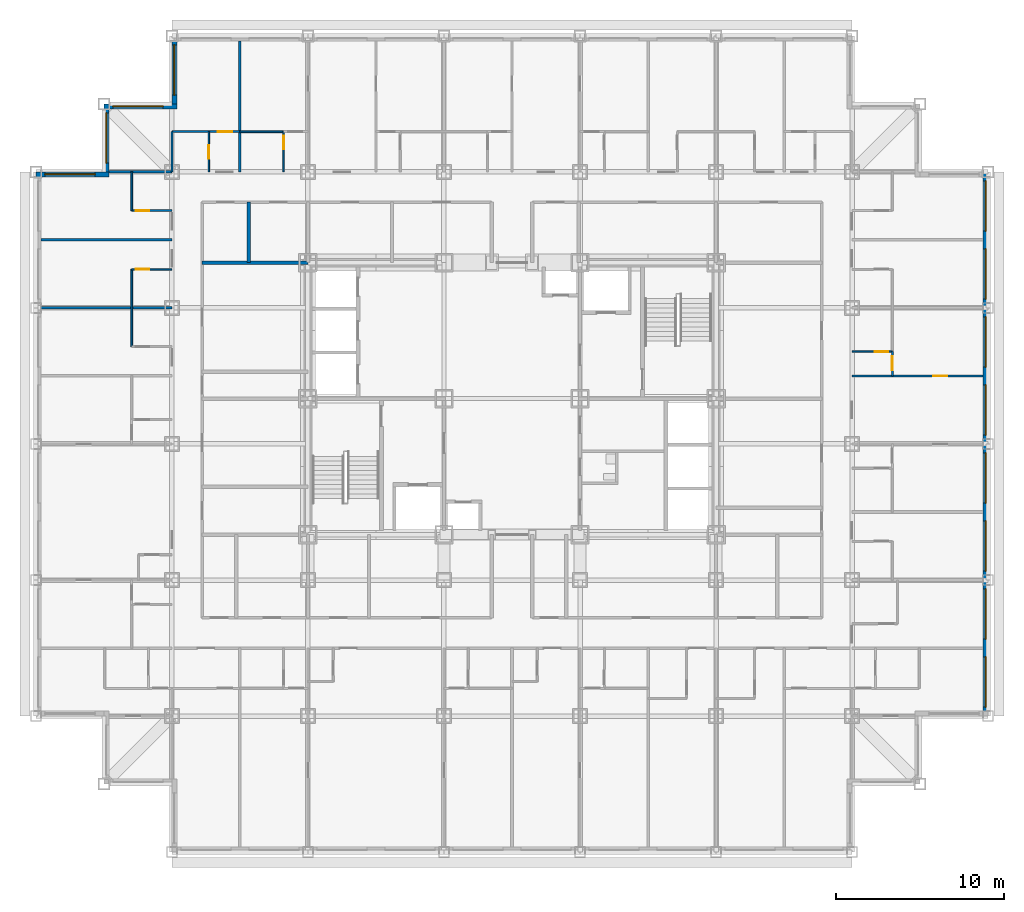
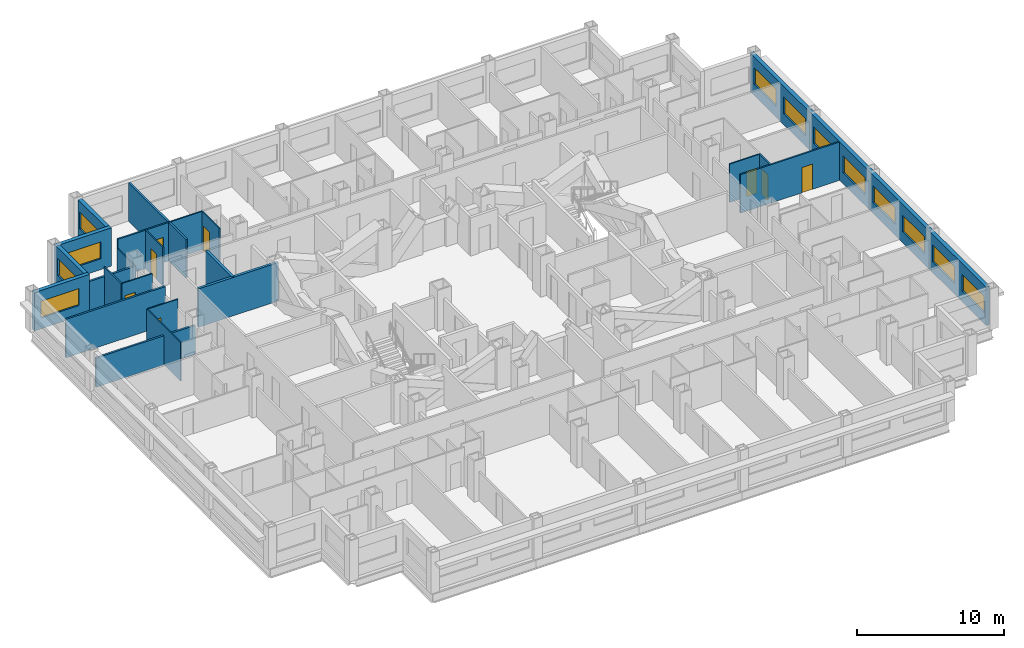
# One storey, part 9 of 14: 23 walls, 12 windows, 8 doors, 20 openings.
"""IFC4 building model written with IfcOpenShell, lengths in metres."""

from ifc_helpers import new_model, si_unit, direction, frame, frame_2d, origin, place, context, subcontext, project, spatial, rectangle, extrude, material, layer, layer_set, type_object, element, fill, save


model = new_model("IFC4")

# Units and contexts
model_context = context("Model", 3, precision=1e-05, world=origin(), true_north=direction((0.0, 1.0)))
body_context = subcontext(model_context, "Body", "Model", "MODEL_VIEW")
ifc_project = project(units=[si_unit("LENGTHUNIT", "METRE"), si_unit("AREAUNIT", "SQUARE_METRE"), si_unit("VOLUMEUNIT", "CUBIC_METRE"), si_unit("PLANEANGLEUNIT", "RADIAN"), si_unit("MASSUNIT", "GRAM", prefix="KILO")], contexts=[model_context])

# Site, building, storey
site_placement = place(None, origin())
site = spatial("IfcSite", under=ifc_project, at=site_placement, CompositionType="ELEMENT")
building_placement = place(site_placement, origin())
building = spatial("IfcBuilding", under=site, at=building_placement, Name="Kopane Lantern Tower", CompositionType="ELEMENT")
storey_placement = place(building_placement, frame((0.0, 0.0, 151.0)))
storey = spatial("IfcBuildingStorey", under=building, at=storey_placement, Name="L39", CompositionType="ELEMENT", Elevation=151.0)

# Wall, opening, door
ifc_material_1 = material(Name="Gypsum board on steel studs", Category="steel")
ifc_layer_1 = layer(ifc_material_1, 0.1201171875)
ifc_layer_set_1 = layer_set([ifc_layer_1], Name="APARTMENT INTERNAL WALL 120")
wall_type_1 = type_object("IfcWallType", Name="APARTMENT INTERNAL WALL 120", PredefinedType="PARTITIONING", material=ifc_layer_set_1)
wall_1_placement = place(storey_placement, frame((48.60009765625, 33.75, 0.0), z_axis=(0.0, 0.0, 1.0), x_axis=(1.0, 0.0, 0.0)))
wall_1 = element("IfcWall", 1, at=wall_1_placement, inside=storey, type_object=wall_type_1, Name="Apartment Internal Wall 120 L39", PredefinedType="PARTITIONING", context=body_context, shape_type="SweptSolid", body=[
    extrude(rectangle(XDim=7.7998046875, YDim=0.1201171875, at=frame_2d((3.89990234375, 0.0))), origin(), (0.0, 0.0, 1.0), 3.18994140625),
])
opening_1_placement = place(wall_1_placement, frame((4.824951171875, 0.0, 0.0)))
opening_1 = element("IfcOpeningElement", 2, at=opening_1_placement, cuts=wall_1, Name="Opening L39-071", PredefinedType="OPENING", context=body_context, shape_type="SweptSolid", body=[
    extrude(rectangle(XDim=0.85009765625, YDim=2.10009765625, at=frame_2d((0.425048828125, 1.050048828125))), frame((0.0, 0.070068359375, 0.0), z_axis=(0.0, -1.0, 0.0), x_axis=(1.0, 0.0, 0.0)), (0.0, 0.0, 1.0), 0.14013671875),
])
ifc_material_2 = material(Name="Timber door set", Category="wood")
door_type_1 = type_object("IfcDoorType", Name="DOOR D4 850x2100", OperationType="SINGLE_SWING_LEFT", PredefinedType="DOOR", material=ifc_material_2)
door_1_placement = place(opening_1_placement, origin())
door_1 = element("IfcDoor", 3, at=door_1_placement, inside=storey, type_object=door_type_1, Name="Door L39-071", OperationType="SINGLE_SWING_LEFT", OverallHeight=2.10009765625, OverallWidth=0.85009765625, PredefinedType="DOOR", context=body_context, shape_type="SweptSolid", body=[
    extrude(rectangle(XDim=0.85009765625, YDim=2.10009765625, at=frame_2d((0.425048828125, 1.050048828125))), frame((0.0, 0.02490234375, 0.0), z_axis=(0.0, -1.0, 0.0), x_axis=(1.0, 0.0, 0.0)), (0.0, 0.0, 1.0), 0.050048828125),
])
fill(opening_1, door_1)

wall_2_placement = place(storey_placement, frame((8.10009765625, 48.300048828125, 0.0), z_axis=(0.0, 0.0, 1.0), x_axis=(1.0, 0.0, 0.0)))
wall_2 = element("IfcWall", 4, at=wall_2_placement, inside=storey, type_object=wall_type_1, Name="Apartment Internal Wall 120 L39", PredefinedType="PARTITIONING", context=body_context, shape_type="SweptSolid", body=[
    extrude(rectangle(XDim=4.0498046875, YDim=0.1201171875, at=frame_2d((2.02490234375, 0.0))), origin(), (0.0, 0.0, 1.0), 3.18994140625),
])
opening_2_placement = place(wall_2_placement, frame((2.72509765625, 0.0, 0.0)))
opening_2 = element("IfcOpeningElement", 5, at=opening_2_placement, cuts=wall_2, Name="Opening L39-091", PredefinedType="OPENING", context=body_context, shape_type="SweptSolid", body=[
    extrude(rectangle(XDim=0.85009765625, YDim=2.10009765625, at=frame_2d((0.425048828125, 1.050048828125))), frame((0.0, 0.070068359375, 0.0), z_axis=(0.0, -1.0, 0.0), x_axis=(1.0, 0.0, 0.0)), (0.0, 0.0, 1.0), 0.14013671875),
])
door_2_placement = place(opening_2_placement, origin())
door_2 = element("IfcDoor", 6, at=door_2_placement, inside=storey, type_object=door_type_1, Name="Door L39-091", OperationType="SINGLE_SWING_LEFT", OverallHeight=2.10009765625, OverallWidth=0.85009765625, PredefinedType="DOOR", context=body_context, shape_type="SweptSolid", body=[
    extrude(rectangle(XDim=0.85009765625, YDim=2.10009765625, at=frame_2d((0.425048828125, 1.050048828125))), frame((0.0, 0.02490234375, 0.0), z_axis=(0.0, -1.0, 0.0), x_axis=(1.0, 0.0, 0.0)), (0.0, 0.0, 1.0), 0.050048828125),
])
fill(opening_2, door_2)

wall_3_placement = place(storey_placement, frame((51.0, 35.2099609375, 0.0), z_axis=(0.0, 0.0, 1.0), x_axis=(0.0, -1.0, 0.0)))
wall_3 = element("IfcWall", 7, at=wall_3_placement, inside=storey, type_object=wall_type_1, Name="Apartment Internal Wall 120 L39", PredefinedType="PARTITIONING", context=body_context, shape_type="SweptSolid", body=[
    extrude(rectangle(XDim=1.4599609375, YDim=0.1201171875, at=frame_2d((0.72998046875, 0.0))), origin(), (0.0, 0.0, 1.0), 3.18994140625),
])
opening_3_placement = place(wall_3_placement, frame((0.27490234375, 0.0, 0.0)))
opening_3 = element("IfcOpeningElement", 8, at=opening_3_placement, cuts=wall_3, Name="Opening L39-102", PredefinedType="OPENING", context=body_context, shape_type="SweptSolid", body=[
    extrude(rectangle(XDim=0.85009765625, YDim=2.10009765625, at=frame_2d((0.425048828125, 1.050048828125))), frame((0.0, 0.070068359375, 0.0), z_axis=(0.0, -1.0, 0.0), x_axis=(1.0, 0.0, 0.0)), (0.0, 0.0, 1.0), 0.14013671875),
])
door_3_placement = place(opening_3_placement, origin())
door_3 = element("IfcDoor", 9, at=door_3_placement, inside=storey, type_object=door_type_1, Name="Door L39-102", OperationType="SINGLE_SWING_RIGHT", OverallHeight=2.10009765625, OverallWidth=0.85009765625, PredefinedType="DOOR", context=body_context, shape_type="SweptSolid", body=[
    extrude(rectangle(XDim=0.85009765625, YDim=2.10009765625, at=frame_2d((0.425048828125, 1.050048828125))), frame((0.0, 0.02490234375, 0.0), z_axis=(0.0, -1.0, 0.0), x_axis=(1.0, 0.0, 0.0)), (0.0, 0.0, 1.0), 0.050048828125),
])
fill(opening_3, door_3)

# Wall
ifc_material_3 = material(Name="Moisture-resistant board on steel studs", Category="steel")
ifc_layer_2 = layer(ifc_material_3, 0.10009765625)
ifc_layer_set_2 = layer_set([ifc_layer_2], Name="BATHROOM WALL 100")
wall_type_2 = type_object("IfcWallType", Name="BATHROOM WALL 100", PredefinedType="PARTITIONING", material=ifc_layer_set_2)
wall_4_placement = place(storey_placement, frame((12.14990234375, 48.300048828125, 0.0), z_axis=(0.0, 0.0, 1.0), x_axis=(1.0, 0.0, 0.0)))
element("IfcWall", 10, at=wall_4_placement, inside=storey, type_object=wall_type_2, Name="Bathroom Wall 100 L39", PredefinedType="PARTITIONING", context=body_context, shape_type="SweptSolid", body=[
    extrude(rectangle(XDim=2.60009765625, YDim=0.10009765625, at=frame_2d((1.300048828125, 0.0))), origin(), (0.0, 0.0, 1.0), 3.18994140625),
])

# Wall, opening, door
wall_5_placement = place(storey_placement, frame((14.75, 45.89990234375, 0.0), z_axis=(0.0, 0.0, 1.0), x_axis=(0.0, 1.0, 0.0)))
wall_5 = element("IfcWall", 11, at=wall_5_placement, inside=storey, type_object=wall_type_2, Name="Bathroom Wall 100 L39", PredefinedType="PARTITIONING", context=body_context, shape_type="SweptSolid", body=[
    extrude(rectangle(XDim=2.400146484375, YDim=0.10009765625, at=frame_2d((1.2001953125, 0.0))), origin(), (0.0, 0.0, 1.0), 3.18994140625),
])
opening_4_placement = place(wall_5_placement, frame((1.35009765625, 0.0, 0.0)))
opening_4 = element("IfcOpeningElement", 12, at=opening_4_placement, cuts=wall_5, Name="Opening L39-038", PredefinedType="OPENING", context=body_context, shape_type="SweptSolid", body=[
    extrude(rectangle(XDim=0.800048828125, YDim=2.10009765625, at=frame_2d((0.39990234375, 1.050048828125))), frame((0.0, 0.06005859375, 0.0), z_axis=(0.0, -1.0, 0.0), x_axis=(1.0, 0.0, 0.0)), (0.0, 0.0, 1.0), 0.1201171875),
])
ifc_material_4 = material(Name="Timber door set", Category="wood")
door_type_2 = type_object("IfcDoorType", Name="DOOR D2 800x2100", OperationType="SINGLE_SWING_LEFT", PredefinedType="DOOR", material=ifc_material_4)
door_4_placement = place(opening_4_placement, origin())
door_4 = element("IfcDoor", 13, at=door_4_placement, inside=storey, type_object=door_type_2, Name="Door L39-038", OperationType="SINGLE_SWING_LEFT", OverallHeight=2.10009765625, OverallWidth=0.800048828125, PredefinedType="DOOR", context=body_context, shape_type="SweptSolid", body=[
    extrude(rectangle(XDim=0.800048828125, YDim=2.10009765625, at=frame_2d((0.39990234375, 1.050048828125))), frame((0.0, 0.02490234375, 0.0), z_axis=(0.0, -1.0, 0.0), x_axis=(1.0, 0.0, 0.0)), (0.0, 0.0, 1.0), 0.050048828125),
])
fill(opening_4, door_4)

# Wall
wall_6_placement = place(storey_placement, frame((5.699951171875, 35.5, 0.0), z_axis=(0.0, 0.0, 1.0), x_axis=(0.0, 1.0, 0.0)))
element("IfcWall", 14, at=wall_6_placement, inside=storey, type_object=wall_type_2, Name="Bathroom Wall 100 L39", PredefinedType="PARTITIONING", context=body_context, shape_type="SweptSolid", body=[
    extrude(rectangle(XDim=4.60009765625, YDim=0.10009765625, at=frame_2d((2.300048828125, 0.0))), origin(), (0.0, 0.0, 1.0), 3.18994140625),
])

# Wall, opening, door
wall_7_placement = place(storey_placement, frame((8.10009765625, 40.10009765625, 0.0), z_axis=(0.0, 0.0, 1.0), x_axis=(-1.0, 0.0, 0.0)))
wall_7 = element("IfcWall", 15, at=wall_7_placement, inside=storey, type_object=wall_type_2, Name="Bathroom Wall 100 L39", PredefinedType="PARTITIONING", context=body_context, shape_type="SweptSolid", body=[
    extrude(rectangle(XDim=2.400146484375, YDim=0.10009765625, at=frame_2d((1.2001953125, 0.0))), origin(), (0.0, 0.0, 1.0), 3.18994140625),
])
opening_5_placement = place(wall_7_placement, frame((1.35009765625, 0.0, 0.0)))
opening_5 = element("IfcOpeningElement", 16, at=opening_5_placement, cuts=wall_7, Name="Opening L39-059", PredefinedType="OPENING", context=body_context, shape_type="SweptSolid", body=[
    extrude(rectangle(XDim=0.800048828125, YDim=2.10009765625, at=frame_2d((0.39990234375, 1.050048828125))), frame((0.0, 0.06005859375, 0.0), z_axis=(0.0, -1.0, 0.0), x_axis=(1.0, 0.0, 0.0)), (0.0, 0.0, 1.0), 0.1201171875),
])
door_5_placement = place(opening_5_placement, origin())
door_5 = element("IfcDoor", 17, at=door_5_placement, inside=storey, type_object=door_type_2, Name="Door L39-059", OperationType="SINGLE_SWING_RIGHT", OverallHeight=2.10009765625, OverallWidth=0.800048828125, PredefinedType="DOOR", context=body_context, shape_type="SweptSolid", body=[
    extrude(rectangle(XDim=0.800048828125, YDim=2.10009765625, at=frame_2d((0.39990234375, 1.050048828125))), frame((0.0, 0.02490234375, 0.0), z_axis=(0.0, -1.0, 0.0), x_axis=(1.0, 0.0, 0.0)), (0.0, 0.0, 1.0), 0.050048828125),
])
fill(opening_5, door_5)

# Wall
wall_8_placement = place(storey_placement, frame((5.699951171875, 43.60009765625, 0.0), z_axis=(0.0, 0.0, 1.0), x_axis=(0.0, 1.0, 0.0)))
element("IfcWall", 18, at=wall_8_placement, inside=storey, type_object=wall_type_2, Name="Bathroom Wall 100 L39", PredefinedType="PARTITIONING", context=body_context, shape_type="SweptSolid", body=[
    extrude(rectangle(XDim=2.2998046875, YDim=0.10009765625, at=frame_2d((1.14990234375, 0.0))), origin(), (0.0, 0.0, 1.0), 3.18994140625),
])

# Wall, opening, door
wall_9_placement = place(storey_placement, frame((8.10009765625, 43.60009765625, 0.0), z_axis=(0.0, 0.0, 1.0), x_axis=(-1.0, 0.0, 0.0)))
wall_9 = element("IfcWall", 19, at=wall_9_placement, inside=storey, type_object=wall_type_2, Name="Bathroom Wall 100 L39", PredefinedType="PARTITIONING", context=body_context, shape_type="SweptSolid", body=[
    extrude(rectangle(XDim=2.400146484375, YDim=0.10009765625, at=frame_2d((1.2001953125, 0.0))), origin(), (0.0, 0.0, 1.0), 3.18994140625),
])
opening_6_placement = place(wall_9_placement, frame((1.35009765625, 0.0, 0.0)))
opening_6 = element("IfcOpeningElement", 20, at=opening_6_placement, cuts=wall_9, Name="Opening L39-061", PredefinedType="OPENING", context=body_context, shape_type="SweptSolid", body=[
    extrude(rectangle(XDim=0.800048828125, YDim=2.10009765625, at=frame_2d((0.39990234375, 1.050048828125))), frame((0.0, 0.06005859375, 0.0), z_axis=(0.0, -1.0, 0.0), x_axis=(1.0, 0.0, 0.0)), (0.0, 0.0, 1.0), 0.1201171875),
])
door_6_placement = place(opening_6_placement, origin())
door_6 = element("IfcDoor", 21, at=door_6_placement, inside=storey, type_object=door_type_2, Name="Door L39-061", OperationType="SINGLE_SWING_LEFT", OverallHeight=2.10009765625, OverallWidth=0.800048828125, PredefinedType="DOOR", context=body_context, shape_type="SweptSolid", body=[
    extrude(rectangle(XDim=0.800048828125, YDim=2.10009765625, at=frame_2d((0.39990234375, 1.050048828125))), frame((0.0, 0.02490234375, 0.0), z_axis=(0.0, -1.0, 0.0), x_axis=(1.0, 0.0, 0.0)), (0.0, 0.0, 1.0), 0.050048828125),
])
fill(opening_6, door_6)

wall_10_placement = place(storey_placement, frame((48.60009765625, 35.199951171875, 0.0), z_axis=(0.0, 0.0, 1.0), x_axis=(1.0, 0.0, 0.0)))
wall_10 = element("IfcWall", 22, at=wall_10_placement, inside=storey, type_object=wall_type_2, Name="Bathroom Wall 100 L39", PredefinedType="PARTITIONING", context=body_context, shape_type="SweptSolid", body=[
    extrude(rectangle(XDim=2.39990234375, YDim=0.10009765625, at=frame_2d((1.199951171875, 0.0))), origin(), (0.0, 0.0, 1.0), 3.18994140625),
])
opening_7_placement = place(wall_10_placement, frame((1.35009765625, 0.0, 0.0)))
opening_7 = element("IfcOpeningElement", 23, at=opening_7_placement, cuts=wall_10, Name="Opening L39-070", PredefinedType="OPENING", context=body_context, shape_type="SweptSolid", body=[
    extrude(rectangle(XDim=0.800048828125, YDim=2.10009765625, at=frame_2d((0.39990234375, 1.050048828125))), frame((0.0, 0.06005859375, 0.0), z_axis=(0.0, -1.0, 0.0), x_axis=(1.0, 0.0, 0.0)), (0.0, 0.0, 1.0), 0.1201171875),
])
door_7_placement = place(opening_7_placement, origin())
door_7 = element("IfcDoor", 24, at=door_7_placement, inside=storey, type_object=door_type_2, Name="Door L39-070", OperationType="SINGLE_SWING_LEFT", OverallHeight=2.10009765625, OverallWidth=0.800048828125, PredefinedType="DOOR", context=body_context, shape_type="SweptSolid", body=[
    extrude(rectangle(XDim=0.800048828125, YDim=2.10009765625, at=frame_2d((0.39990234375, 1.050048828125))), frame((0.0, 0.02490234375, 0.0), z_axis=(0.0, -1.0, 0.0), x_axis=(1.0, 0.0, 0.0)), (0.0, 0.0, 1.0), 0.050048828125),
])
fill(opening_7, door_7)

wall_11_placement = place(storey_placement, frame((10.300048828125, 45.89990234375, 0.0), z_axis=(0.0, 0.0, 1.0), x_axis=(0.0, 1.0, 0.0)))
wall_11 = element("IfcWall", 25, at=wall_11_placement, inside=storey, type_object=wall_type_2, Name="Bathroom Wall 100 L39", PredefinedType="PARTITIONING", context=body_context, shape_type="SweptSolid", body=[
    extrude(rectangle(XDim=2.400146484375, YDim=0.10009765625, at=frame_2d((1.2001953125, 0.0))), origin(), (0.0, 0.0, 1.0), 3.18994140625),
])
opening_8_placement = place(wall_11_placement, frame((0.800048828125, 0.0, 0.0)))
opening_8 = element("IfcOpeningElement", 26, at=opening_8_placement, cuts=wall_11, Name="Opening L39-089", PredefinedType="OPENING", context=body_context, shape_type="SweptSolid", body=[
    extrude(rectangle(XDim=0.800048828125, YDim=2.10009765625, at=frame_2d((0.39990234375, 1.050048828125))), frame((0.0, 0.06005859375, 0.0), z_axis=(0.0, -1.0, 0.0), x_axis=(1.0, 0.0, 0.0)), (0.0, 0.0, 1.0), 0.1201171875),
])
door_8_placement = place(opening_8_placement, origin())
door_8 = element("IfcDoor", 27, at=door_8_placement, inside=storey, type_object=door_type_2, Name="Door L39-089", OperationType="SINGLE_SWING_LEFT", OverallHeight=2.10009765625, OverallWidth=0.800048828125, PredefinedType="DOOR", context=body_context, shape_type="SweptSolid", body=[
    extrude(rectangle(XDim=0.800048828125, YDim=2.10009765625, at=frame_2d((0.39990234375, 1.050048828125))), frame((0.0, 0.02490234375, 0.0), z_axis=(0.0, -1.0, 0.0), x_axis=(1.0, 0.0, 0.0)), (0.0, 0.0, 1.0), 0.050048828125),
])
fill(opening_8, door_8)

# Walls
wall_12_placement = place(storey_placement, frame((8.10009765625, 45.89990234375, 0.0), z_axis=(0.0, 0.0, 1.0), x_axis=(0.0, 1.0, 0.0)))
element("IfcWall", 28, at=wall_12_placement, inside=storey, type_object=wall_type_2, Name="Bathroom Wall 100 L39", PredefinedType="PARTITIONING", context=body_context, shape_type="SweptSolid", body=[
    extrude(rectangle(XDim=2.400146484375, YDim=0.10009765625, at=frame_2d((1.2001953125, 0.0))), origin(), (0.0, 0.0, 1.0), 2.420166015625),
])
ifc_material_5 = material(Name="Gypsum board on steel studs", Category="steel")
ifc_layer_3 = layer(ifc_material_5, 0.14990234375)
ifc_layer_set_3 = layer_set([ifc_layer_3], Name="DEMISING WALL 150 EI 60")
wall_type_3 = type_object("IfcWallType", Name="DEMISING WALL 150 EI 60", PredefinedType="PARTITIONING", material=ifc_layer_set_3)
wall_13_placement = place(storey_placement, frame((8.10009765625, 37.800048828125, 0.0), z_axis=(0.0, 0.0, 1.0), x_axis=(-1.0, 0.0, 0.0)))
element("IfcWall", 29, at=wall_13_placement, inside=storey, type_object=wall_type_3, Name="Demising Wall 150 Ei 60 L39", PredefinedType="PARTITIONING", context=body_context, shape_type="SweptSolid", body=[
    extrude(rectangle(XDim=7.800048828125, YDim=0.14990234375, at=frame_2d((3.89990234375, 0.0))), origin(), (0.0, 0.0, 1.0), 2.420166015625),
])
wall_14_placement = place(storey_placement, frame((8.10009765625, 41.85009765625, 0.0), z_axis=(0.0, 0.0, 1.0), x_axis=(-1.0, 0.0, 0.0)))
element("IfcWall", 30, at=wall_14_placement, inside=storey, type_object=wall_type_3, Name="Demising Wall 150 Ei 60 L39", PredefinedType="PARTITIONING", context=body_context, shape_type="SweptSolid", body=[
    extrude(rectangle(XDim=7.800048828125, YDim=0.14990234375, at=frame_2d((3.89990234375, 0.0))), origin(), (0.0, 0.0, 1.0), 3.18994140625),
])
wall_15_placement = place(storey_placement, frame((4.35009765625, 45.89990234375, 0.0), z_axis=(0.0, 0.0, 1.0), x_axis=(1.0, 0.0, 0.0)))
element("IfcWall", 31, at=wall_15_placement, inside=storey, type_object=wall_type_3, Name="Demising Wall 150 Ei 60 L39", PredefinedType="PARTITIONING", context=body_context, shape_type="SweptSolid", body=[
    extrude(rectangle(XDim=3.75, YDim=0.14990234375, at=frame_2d((1.875, 0.0))), origin(), (0.0, 0.0, 1.0), 2.420166015625),
])
wall_16_placement = place(storey_placement, frame((12.14990234375, 45.89990234375, 0.0), z_axis=(0.0, 0.0, 1.0), x_axis=(0.0, 1.0, 0.0)))
element("IfcWall", 32, at=wall_16_placement, inside=storey, type_object=wall_type_3, Name="Demising Wall 150 Ei 60 L39", PredefinedType="PARTITIONING", context=body_context, shape_type="SweptSolid", body=[
    extrude(rectangle(XDim=7.800048828125, YDim=0.14990234375, at=frame_2d((3.89990234375, 0.0))), origin(), (0.0, 0.0, 1.0), 3.18994140625),
])

# Wall, openings, windows
ifc_material_6 = material(Name="Terracotta rainscreen on light steel framing", Category="masonry")
ifc_layer_4 = layer(ifc_material_6, 0.300048828125)
ifc_layer_set_4 = layer_set([ifc_layer_4], Name="EXTERNAL WALL EW1 300 TERRACOTTA")
wall_type_4 = type_object("IfcWallType", Name="EXTERNAL WALL EW1 300 TERRACOTTA", PredefinedType="SOLIDWALL", material=ifc_layer_set_4)
wall_17_placement = place(storey_placement, frame((56.550048828125, 13.800048828125, 0.0), z_axis=(0.0, 0.0, 1.0), x_axis=(0.0, 1.0, 0.0)))
wall_17 = element("IfcWall", 33, at=wall_17_placement, inside=storey, type_object=wall_type_4, Name="External wall E L39", PredefinedType="SOLIDWALL", context=body_context, shape_type="SweptSolid", body=[
    extrude(rectangle(XDim=32.099853515625, YDim=0.300048828125, at=frame_2d((16.0498046875, 0.0))), origin(), (0.0, 0.0, 1.0), 3.18994140625),
])
opening_9_placement = place(wall_17_placement, frame((0.22509765625, 0.0, 0.89990234375)))
opening_9 = element("IfcOpeningElement", 34, at=opening_9_placement, cuts=wall_17, Name="Opening WR300140", PredefinedType="OPENING", context=body_context, shape_type="SweptSolid", body=[
    extrude(rectangle(XDim=3.0, YDim=1.39990234375, at=frame_2d((1.5, 0.699951171875))), frame((0.0, 0.159912109375, 0.0), z_axis=(0.0, -1.0, 0.0), x_axis=(1.0, 0.0, 0.0)), (0.0, 0.0, 1.0), 0.320068359375),
])
opening_10_placement = place(wall_17_placement, frame((4.27490234375, 0.0, 0.89990234375)))
opening_10 = element("IfcOpeningElement", 35, at=opening_10_placement, cuts=wall_17, Name="Opening WR300140", PredefinedType="OPENING", context=body_context, shape_type="SweptSolid", body=[
    extrude(rectangle(XDim=3.0, YDim=1.39990234375, at=frame_2d((1.5, 0.699951171875))), frame((0.0, 0.159912109375, 0.0), z_axis=(0.0, -1.0, 0.0), x_axis=(1.0, 0.0, 0.0)), (0.0, 0.0, 1.0), 0.320068359375),
])
opening_11_placement = place(wall_17_placement, frame((8.324951171875, 0.0, 0.89990234375)))
opening_11 = element("IfcOpeningElement", 36, at=opening_11_placement, cuts=wall_17, Name="Opening WR300140", PredefinedType="OPENING", context=body_context, shape_type="SweptSolid", body=[
    extrude(rectangle(XDim=3.0, YDim=1.39990234375, at=frame_2d((1.5, 0.699951171875))), frame((0.0, 0.159912109375, 0.0), z_axis=(0.0, -1.0, 0.0), x_axis=(1.0, 0.0, 0.0)), (0.0, 0.0, 1.0), 0.320068359375),
])
opening_12_placement = place(wall_17_placement, frame((12.375, 0.0, 0.89990234375)))
opening_12 = element("IfcOpeningElement", 37, at=opening_12_placement, cuts=wall_17, Name="Opening WR300140", PredefinedType="OPENING", context=body_context, shape_type="SweptSolid", body=[
    extrude(rectangle(XDim=3.0, YDim=1.39990234375, at=frame_2d((1.5, 0.699951171875))), frame((0.0, 0.159912109375, 0.0), z_axis=(0.0, -1.0, 0.0), x_axis=(1.0, 0.0, 0.0)), (0.0, 0.0, 1.0), 0.320068359375),
])
opening_13_placement = place(wall_17_placement, frame((16.425048828125, 0.0, 0.89990234375)))
opening_13 = element("IfcOpeningElement", 38, at=opening_13_placement, cuts=wall_17, Name="Opening WR300140", PredefinedType="OPENING", context=body_context, shape_type="SweptSolid", body=[
    extrude(rectangle(XDim=3.0, YDim=1.39990234375, at=frame_2d((1.5, 0.699951171875))), frame((0.0, 0.159912109375, 0.0), z_axis=(0.0, -1.0, 0.0), x_axis=(1.0, 0.0, 0.0)), (0.0, 0.0, 1.0), 0.320068359375),
])
opening_14_placement = place(wall_17_placement, frame((20.47509765625, 0.0, 0.89990234375)))
opening_14 = element("IfcOpeningElement", 39, at=opening_14_placement, cuts=wall_17, Name="Opening WR300140", PredefinedType="OPENING", context=body_context, shape_type="SweptSolid", body=[
    extrude(rectangle(XDim=3.0, YDim=1.39990234375, at=frame_2d((1.5, 0.699951171875))), frame((0.0, 0.159912109375, 0.0), z_axis=(0.0, -1.0, 0.0), x_axis=(1.0, 0.0, 0.0)), (0.0, 0.0, 1.0), 0.320068359375),
])
opening_15_placement = place(wall_17_placement, frame((24.52490234375, 0.0, 0.89990234375)))
opening_15 = element("IfcOpeningElement", 40, at=opening_15_placement, cuts=wall_17, Name="Opening WR300140", PredefinedType="OPENING", context=body_context, shape_type="SweptSolid", body=[
    extrude(rectangle(XDim=3.0, YDim=1.39990234375, at=frame_2d((1.5, 0.699951171875))), frame((0.0, 0.159912109375, 0.0), z_axis=(0.0, -1.0, 0.0), x_axis=(1.0, 0.0, 0.0)), (0.0, 0.0, 1.0), 0.320068359375),
])
opening_16_placement = place(wall_17_placement, frame((28.574951171875, 0.0, 0.89990234375)))
opening_16 = element("IfcOpeningElement", 41, at=opening_16_placement, cuts=wall_17, Name="Opening WR300140", PredefinedType="OPENING", context=body_context, shape_type="SweptSolid", body=[
    extrude(rectangle(XDim=3.0, YDim=1.39990234375, at=frame_2d((1.5, 0.699951171875))), frame((0.0, 0.159912109375, 0.0), z_axis=(0.0, -1.0, 0.0), x_axis=(1.0, 0.0, 0.0)), (0.0, 0.0, 1.0), 0.320068359375),
])
ifc_material_7 = material(Name="Aluminium and clear glass", Category="aluminium")
window_type = type_object("IfcWindowType", Name="RIBBON WINDOW WR300140 3000x1400", PartitioningType="SINGLE_PANEL", PredefinedType="WINDOW", material=ifc_material_7)
window_1_placement = place(opening_9_placement, origin())
window_1 = element("IfcWindow", 42, at=window_1_placement, inside=storey, type_object=window_type, Name="Window E L39", OverallHeight=1.39990234375, OverallWidth=3.0, PartitioningType="SINGLE_PANEL", PredefinedType="WINDOW", context=body_context, shape_type="SweptSolid", body=[
    extrude(rectangle(XDim=3.0, YDim=1.39990234375, at=frame_2d((1.5, 0.699951171875))), frame((0.0, 0.030029296875, 0.0), z_axis=(0.0, -1.0, 0.0), x_axis=(1.0, 0.0, 0.0)), (0.0, 0.0, 1.0), 0.06005859375),
])
fill(opening_9, window_1)
window_2_placement = place(opening_10_placement, origin())
window_2 = element("IfcWindow", 43, at=window_2_placement, inside=storey, type_object=window_type, Name="Window E L39", OverallHeight=1.39990234375, OverallWidth=3.0, PartitioningType="SINGLE_PANEL", PredefinedType="WINDOW", context=body_context, shape_type="SweptSolid", body=[
    extrude(rectangle(XDim=3.0, YDim=1.39990234375, at=frame_2d((1.5, 0.699951171875))), frame((0.0, 0.030029296875, 0.0), z_axis=(0.0, -1.0, 0.0), x_axis=(1.0, 0.0, 0.0)), (0.0, 0.0, 1.0), 0.06005859375),
])
fill(opening_10, window_2)
window_3_placement = place(opening_11_placement, origin())
window_3 = element("IfcWindow", 44, at=window_3_placement, inside=storey, type_object=window_type, Name="Window E L39", OverallHeight=1.39990234375, OverallWidth=3.0, PartitioningType="SINGLE_PANEL", PredefinedType="WINDOW", context=body_context, shape_type="SweptSolid", body=[
    extrude(rectangle(XDim=3.0, YDim=1.39990234375, at=frame_2d((1.5, 0.699951171875))), frame((0.0, 0.030029296875, 0.0), z_axis=(0.0, -1.0, 0.0), x_axis=(1.0, 0.0, 0.0)), (0.0, 0.0, 1.0), 0.06005859375),
])
fill(opening_11, window_3)
window_4_placement = place(opening_12_placement, origin())
window_4 = element("IfcWindow", 45, at=window_4_placement, inside=storey, type_object=window_type, Name="Window E L39", OverallHeight=1.39990234375, OverallWidth=3.0, PartitioningType="SINGLE_PANEL", PredefinedType="WINDOW", context=body_context, shape_type="SweptSolid", body=[
    extrude(rectangle(XDim=3.0, YDim=1.39990234375, at=frame_2d((1.5, 0.699951171875))), frame((0.0, 0.030029296875, 0.0), z_axis=(0.0, -1.0, 0.0), x_axis=(1.0, 0.0, 0.0)), (0.0, 0.0, 1.0), 0.06005859375),
])
fill(opening_12, window_4)
window_5_placement = place(opening_13_placement, origin())
window_5 = element("IfcWindow", 46, at=window_5_placement, inside=storey, type_object=window_type, Name="Window E L39", OverallHeight=1.39990234375, OverallWidth=3.0, PartitioningType="SINGLE_PANEL", PredefinedType="WINDOW", context=body_context, shape_type="SweptSolid", body=[
    extrude(rectangle(XDim=3.0, YDim=1.39990234375, at=frame_2d((1.5, 0.699951171875))), frame((0.0, 0.030029296875, 0.0), z_axis=(0.0, -1.0, 0.0), x_axis=(1.0, 0.0, 0.0)), (0.0, 0.0, 1.0), 0.06005859375),
])
fill(opening_13, window_5)
window_6_placement = place(opening_14_placement, origin())
window_6 = element("IfcWindow", 47, at=window_6_placement, inside=storey, type_object=window_type, Name="Window E L39", OverallHeight=1.39990234375, OverallWidth=3.0, PartitioningType="SINGLE_PANEL", PredefinedType="WINDOW", context=body_context, shape_type="SweptSolid", body=[
    extrude(rectangle(XDim=3.0, YDim=1.39990234375, at=frame_2d((1.5, 0.699951171875))), frame((0.0, 0.030029296875, 0.0), z_axis=(0.0, -1.0, 0.0), x_axis=(1.0, 0.0, 0.0)), (0.0, 0.0, 1.0), 0.06005859375),
])
fill(opening_14, window_6)
window_7_placement = place(opening_15_placement, origin())
window_7 = element("IfcWindow", 48, at=window_7_placement, inside=storey, type_object=window_type, Name="Window E L39", OverallHeight=1.39990234375, OverallWidth=3.0, PartitioningType="SINGLE_PANEL", PredefinedType="WINDOW", context=body_context, shape_type="SweptSolid", body=[
    extrude(rectangle(XDim=3.0, YDim=1.39990234375, at=frame_2d((1.5, 0.699951171875))), frame((0.0, 0.030029296875, 0.0), z_axis=(0.0, -1.0, 0.0), x_axis=(1.0, 0.0, 0.0)), (0.0, 0.0, 1.0), 0.06005859375),
])
fill(opening_15, window_7)
window_8_placement = place(opening_16_placement, origin())
window_8 = element("IfcWindow", 49, at=window_8_placement, inside=storey, type_object=window_type, Name="Window E L39", OverallHeight=1.39990234375, OverallWidth=3.0, PartitioningType="SINGLE_PANEL", PredefinedType="WINDOW", context=body_context, shape_type="SweptSolid", body=[
    extrude(rectangle(XDim=3.0, YDim=1.39990234375, at=frame_2d((1.5, 0.699951171875))), frame((0.0, 0.030029296875, 0.0), z_axis=(0.0, -1.0, 0.0), x_axis=(1.0, 0.0, 0.0)), (0.0, 0.0, 1.0), 0.06005859375),
])
fill(opening_16, window_8)

# Wall, opening, window
wall_18_placement = place(storey_placement, frame((8.25, 53.699951171875, 0.0), z_axis=(0.0, 0.0, 1.0), x_axis=(0.0, -1.0, 0.0)))
wall_18 = element("IfcWall", 50, at=wall_18_placement, inside=storey, type_object=wall_type_4, Name="External wall W L39", PredefinedType="SOLIDWALL", context=body_context, shape_type="SweptSolid", body=[
    extrude(rectangle(XDim=3.75, YDim=0.300048828125, at=frame_2d((1.875, 0.0))), origin(), (0.0, 0.0, 1.0), 3.18994140625),
])
opening_17_placement = place(wall_18_placement, frame((0.22509765625, 0.0, 0.89990234375)))
opening_17 = element("IfcOpeningElement", 51, at=opening_17_placement, cuts=wall_18, Name="Opening WR300140", PredefinedType="OPENING", context=body_context, shape_type="SweptSolid", body=[
    extrude(rectangle(XDim=3.0, YDim=1.39990234375, at=frame_2d((1.5, 0.699951171875))), frame((0.0, 0.159912109375, 0.0), z_axis=(0.0, -1.0, 0.0), x_axis=(1.0, 0.0, 0.0)), (0.0, 0.0, 1.0), 0.320068359375),
])
window_9_placement = place(opening_17_placement, origin())
window_9 = element("IfcWindow", 52, at=window_9_placement, inside=storey, type_object=window_type, Name="Window W L39", OverallHeight=1.39990234375, OverallWidth=3.0, PartitioningType="SINGLE_PANEL", PredefinedType="WINDOW", context=body_context, shape_type="SweptSolid", body=[
    extrude(rectangle(XDim=3.0, YDim=1.39990234375, at=frame_2d((1.5, 0.699951171875))), frame((0.0, 0.030029296875, 0.0), z_axis=(0.0, -1.0, 0.0), x_axis=(1.0, 0.0, 0.0)), (0.0, 0.0, 1.0), 0.06005859375),
])
fill(opening_17, window_9)

wall_19_placement = place(storey_placement, frame((8.39990234375, 49.800048828125, 0.0), z_axis=(0.0, 0.0, 1.0), x_axis=(-1.0, 0.0, 0.0)))
wall_19 = element("IfcWall", 53, at=wall_19_placement, inside=storey, type_object=wall_type_4, Name="External wall N L39", PredefinedType="SOLIDWALL", context=body_context, shape_type="SweptSolid", body=[
    extrude(rectangle(XDim=4.349853515625, YDim=0.300048828125, at=frame_2d((2.1748046875, 0.0))), origin(), (0.0, 0.0, 1.0), 3.18994140625),
])
opening_18_placement = place(wall_19_placement, frame((0.824951171875, 0.0, 0.89990234375)))
opening_18 = element("IfcOpeningElement", 54, at=opening_18_placement, cuts=wall_19, Name="Opening WR300140", PredefinedType="OPENING", context=body_context, shape_type="SweptSolid", body=[
    extrude(rectangle(XDim=3.0, YDim=1.39990234375, at=frame_2d((1.5, 0.699951171875))), frame((0.0, 0.159912109375, 0.0), z_axis=(0.0, -1.0, 0.0), x_axis=(1.0, 0.0, 0.0)), (0.0, 0.0, 1.0), 0.320068359375),
])
window_10_placement = place(opening_18_placement, origin())
window_10 = element("IfcWindow", 55, at=window_10_placement, inside=storey, type_object=window_type, Name="Window N L39", OverallHeight=1.39990234375, OverallWidth=3.0, PartitioningType="SINGLE_PANEL", PredefinedType="WINDOW", context=body_context, shape_type="SweptSolid", body=[
    extrude(rectangle(XDim=3.0, YDim=1.39990234375, at=frame_2d((1.5, 0.699951171875))), frame((0.0, 0.030029296875, 0.0), z_axis=(0.0, -1.0, 0.0), x_axis=(1.0, 0.0, 0.0)), (0.0, 0.0, 1.0), 0.06005859375),
])
fill(opening_18, window_10)

wall_20_placement = place(storey_placement, frame((4.199951171875, 49.64990234375, 0.0), z_axis=(0.0, 0.0, 1.0), x_axis=(0.0, -1.0, 0.0)))
wall_20 = element("IfcWall", 56, at=wall_20_placement, inside=storey, type_object=wall_type_4, Name="External wall W L39", PredefinedType="SOLIDWALL", context=body_context, shape_type="SweptSolid", body=[
    extrude(rectangle(XDim=3.75, YDim=0.300048828125, at=frame_2d((1.875, 0.0))), origin(), (0.0, 0.0, 1.0), 3.18994140625),
])
opening_19_placement = place(wall_20_placement, frame((0.22509765625, 0.0, 0.89990234375)))
opening_19 = element("IfcOpeningElement", 57, at=opening_19_placement, cuts=wall_20, Name="Opening WR300140", PredefinedType="OPENING", context=body_context, shape_type="SweptSolid", body=[
    extrude(rectangle(XDim=3.0, YDim=1.39990234375, at=frame_2d((1.5, 0.699951171875))), frame((0.0, 0.159912109375, 0.0), z_axis=(0.0, -1.0, 0.0), x_axis=(1.0, 0.0, 0.0)), (0.0, 0.0, 1.0), 0.320068359375),
])
window_11_placement = place(opening_19_placement, origin())
window_11 = element("IfcWindow", 58, at=window_11_placement, inside=storey, type_object=window_type, Name="Window W L39", OverallHeight=1.39990234375, OverallWidth=3.0, PartitioningType="SINGLE_PANEL", PredefinedType="WINDOW", context=body_context, shape_type="SweptSolid", body=[
    extrude(rectangle(XDim=3.0, YDim=1.39990234375, at=frame_2d((1.5, 0.699951171875))), frame((0.0, 0.030029296875, 0.0), z_axis=(0.0, -1.0, 0.0), x_axis=(1.0, 0.0, 0.0)), (0.0, 0.0, 1.0), 0.06005859375),
])
fill(opening_19, window_11)

wall_21_placement = place(storey_placement, frame((4.35009765625, 45.75, 0.0), z_axis=(0.0, 0.0, 1.0), x_axis=(-1.0, 0.0, 0.0)))
wall_21 = element("IfcWall", 59, at=wall_21_placement, inside=storey, type_object=wall_type_4, Name="External wall N L39", PredefinedType="SOLIDWALL", context=body_context, shape_type="SweptSolid", body=[
    extrude(rectangle(XDim=4.35009765625, YDim=0.300048828125, at=frame_2d((2.175048828125, 0.0))), origin(), (0.0, 0.0, 1.0), 3.18994140625),
])
opening_20_placement = place(wall_21_placement, frame((0.824951171875, 0.0, 0.89990234375)))
opening_20 = element("IfcOpeningElement", 60, at=opening_20_placement, cuts=wall_21, Name="Opening WR300140", PredefinedType="OPENING", context=body_context, shape_type="SweptSolid", body=[
    extrude(rectangle(XDim=3.0, YDim=1.39990234375, at=frame_2d((1.5, 0.699951171875))), frame((0.0, 0.159912109375, 0.0), z_axis=(0.0, -1.0, 0.0), x_axis=(1.0, 0.0, 0.0)), (0.0, 0.0, 1.0), 0.320068359375),
])
window_12_placement = place(opening_20_placement, origin())
window_12 = element("IfcWindow", 61, at=window_12_placement, inside=storey, type_object=window_type, Name="Window N L39", OverallHeight=1.39990234375, OverallWidth=3.0, PartitioningType="SINGLE_PANEL", PredefinedType="WINDOW", context=body_context, shape_type="SweptSolid", body=[
    extrude(rectangle(XDim=3.0, YDim=1.39990234375, at=frame_2d((1.5, 0.699951171875))), frame((0.0, 0.030029296875, 0.0), z_axis=(0.0, -1.0, 0.0), x_axis=(1.0, 0.0, 0.0)), (0.0, 0.0, 1.0), 0.06005859375),
])
fill(opening_20, window_12)

# Walls
ifc_material_8 = material(Name="Concrete masonry", Category="masonry")
ifc_layer_5 = layer(ifc_material_8, 0.199951171875)
ifc_layer_set_5 = layer_set([ifc_layer_5], Name="PLANT ROOM WALL 200 EI 120")
wall_type_5 = type_object("IfcWallType", Name="PLANT ROOM WALL 200 EI 120", PredefinedType="SOLIDWALL", material=ifc_layer_set_5)
wall_22_placement = place(storey_placement, frame((12.677734375, 44.10009765625, 0.0), z_axis=(0.0, 0.0, 1.0), x_axis=(0.0, -1.0, 0.0)))
element("IfcWall", 62, at=wall_22_placement, inside=storey, type_object=wall_type_5, Name="Plant Room Wall 200 Ei 120 L39", PredefinedType="SOLIDWALL", context=body_context, shape_type="SweptSolid", body=[
    extrude(rectangle(XDim=3.60009765625, YDim=0.199951171875, at=frame_2d((1.800048828125, 0.0))), origin(), (0.0, 0.0, 1.0), 3.18994140625),
])
wall_23_placement = place(storey_placement, frame((9.89990234375, 40.5, 0.0), z_axis=(0.0, 0.0, 1.0), x_axis=(1.0, 0.0, 0.0)))
element("IfcWall", 63, at=wall_23_placement, inside=storey, type_object=wall_type_5, Name="Plant Room Wall 200 Ei 120 L39", PredefinedType="SOLIDWALL", context=body_context, shape_type="SweptSolid", body=[
    extrude(rectangle(XDim=6.300048828125, YDim=0.199951171875, at=frame_2d((3.14990234375, 0.0))), origin(), (0.0, 0.0, 1.0), 3.18994140625),
])

save(model, "model.ifc")
